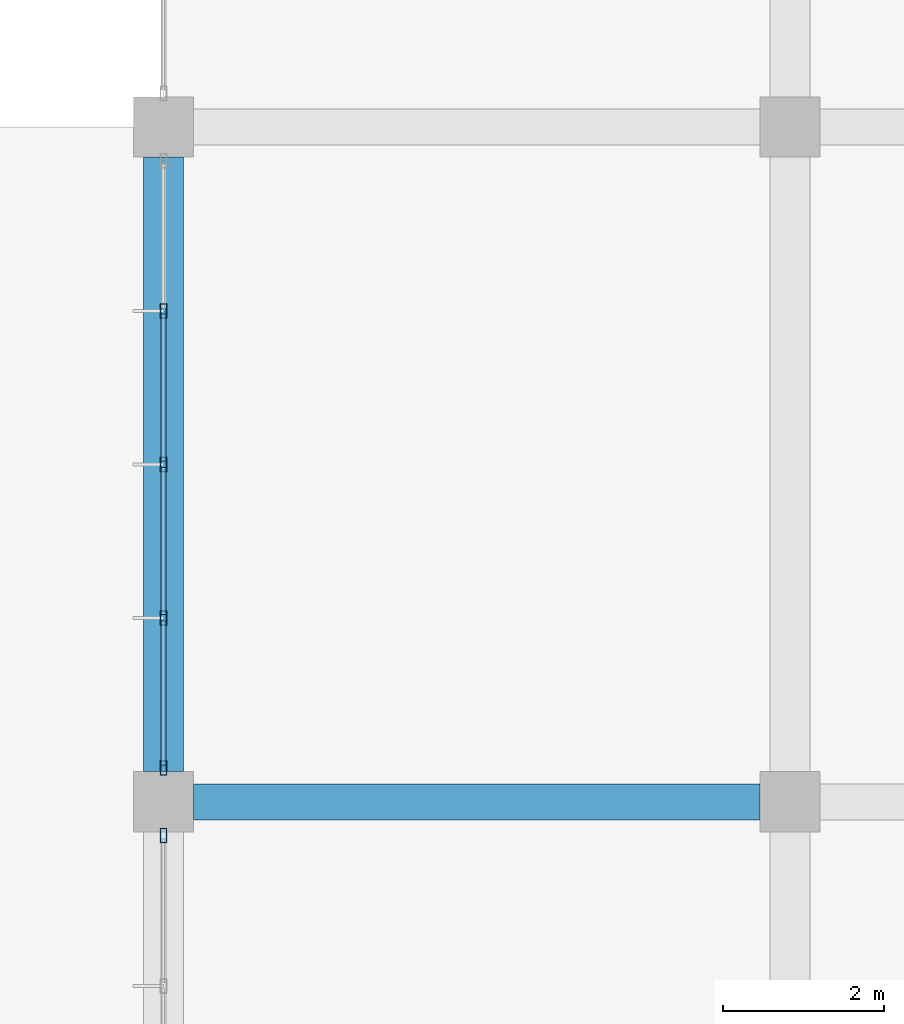
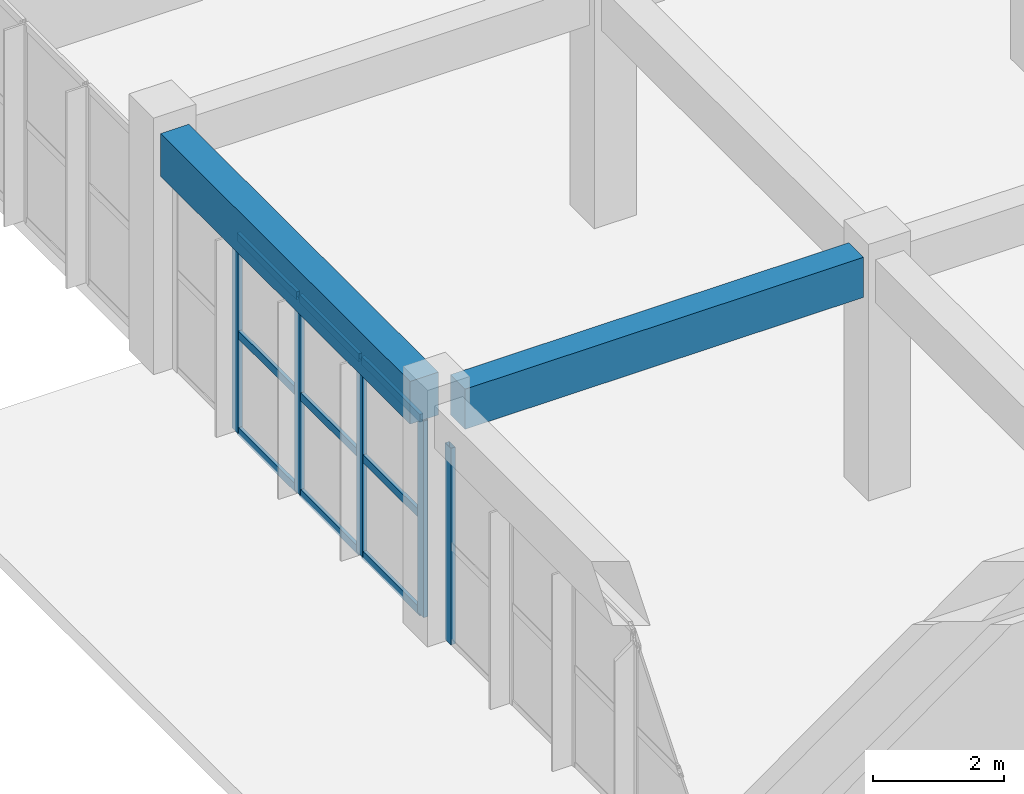
# One storey, part 20 of 175: 14 members, 2 beams, 2 elements without a shape of their own.
"""IFC4 building model written with IfcOpenShell, lengths in metres."""

from ifc_helpers import new_model, si_unit, direction, frame, origin, origin_2d, place, context, subcontext, project, spatial, rectangle, hollow_rectangle, extrude, material, layer, layer_set, material_profile, profile_set, type_object, element, aggregate, save


model = new_model("IFC4")

# Units and contexts
model_context = context("Model", 3, precision=1e-05, world=origin(), true_north=direction((0.0, 1.0)))
body_context = subcontext(model_context, "Body", "Model", "MODEL_VIEW")
ifc_project = project(units=[si_unit("LENGTHUNIT", "METRE"), si_unit("AREAUNIT", "SQUARE_METRE"), si_unit("VOLUMEUNIT", "CUBIC_METRE"), si_unit("PLANEANGLEUNIT", "RADIAN"), si_unit("MASSUNIT", "GRAM", prefix="KILO")], contexts=[model_context])

# Site, building, storey
site_placement = place(None, origin())
site = spatial("IfcSite", under=ifc_project, at=site_placement, CompositionType="ELEMENT")
building_placement = place(site_placement, origin())
building = spatial("IfcBuilding", under=site, at=building_placement, Name="Zizhar Promenade General Hospital", CompositionType="ELEMENT")
storey_placement = place(building_placement, frame((0.0, 0.0, 4.800048828125)))
storey = spatial("IfcBuildingStorey", under=building, at=storey_placement, Name="L01", CompositionType="ELEMENT", Elevation=4.800048828125)

# Beams
ifc_material_1 = material(Name="Concrete C35/45", Category="concrete")
ifc_material_profile_1 = material_profile(ifc_material_1, rectangle(XDim=0.449951171875, YDim=0.75, at=origin_2d()))
ifc_profile_set_1 = profile_set([ifc_material_profile_1], Name="Concrete C35/45")
beam_type_1 = type_object("IfcBeamType", Name="BM-RC-450x750", PredefinedType="BEAM", material=ifc_profile_set_1)
beam_1_placement = place(storey_placement, frame((0.375, 33.60009765625, 4.094970703125), z_axis=(1.0, 0.0, 0.0), x_axis=(0.0, 1.0, 0.0)))
element("IfcBeam", 1, at=beam_1_placement, inside=storey, type_object=beam_type_1, Name="Grid Beam X L01 (0-4)", PredefinedType="BEAM", context=body_context, shape_type="SweptSolid", body=[
    extrude(rectangle(XDim=0.449951171875, YDim=0.75, at=origin_2d()), origin(), (0.0, 0.0, 1.0), 7.050048828125),
])
ifc_material_2 = material(Name="Concrete C35/45", Category="concrete")
ifc_material_profile_2 = material_profile(ifc_material_2, rectangle(XDim=0.5, YDim=0.800048828125, at=origin_2d()))
ifc_profile_set_2 = profile_set([ifc_material_profile_2], Name="Concrete C35/45")
beam_type_2 = type_object("IfcBeamType", Name="BM-RC-500x800", PredefinedType="BEAM", material=ifc_profile_set_2)
beam_2_placement = place(storey_placement, frame((0.0, 33.97509765625, 4.070068359375), z_axis=(0.0, 1.0, 0.0), x_axis=(-1.0, 0.0, 0.0)))
element("IfcBeam", 2, at=beam_2_placement, inside=storey, type_object=beam_type_2, Name="Grid Beam Y L01 (0-4)", PredefinedType="BEAM", context=body_context, shape_type="SweptSolid", body=[
    extrude(rectangle(XDim=0.5, YDim=0.800048828125, at=origin_2d()), origin(), (0.0, 0.0, 1.0), 7.64990234375),
])

# Curtain wall, member
ifc_material_3 = material(Name="Anodised aluminium 6063-T6 and low-E glass", Category="aluminium")
ifc_layer = layer(ifc_material_3, 0.159912109375)
ifc_layer_set = layer_set([ifc_layer], Name="Anodised aluminium 6063-T6 and low-E glass")
curtain_wall_type = type_object("IfcCurtainWallType", Name="CW-ED-FRONT", PredefinedType="NOTDEFINED", material=ifc_layer_set)
curtain_wall_1_placement = place(storey_placement, origin())
curtain_wall_1 = element("IfcCurtainWall", 3, at=curtain_wall_1_placement, inside=storey, type_object=curtain_wall_type, Name="West Diagnostic Arm Glazed Curtain Wall L01-W3", PredefinedType="NOTDEFINED")
ifc_material_4 = material(Name="Anodised aluminium 6063-T6", Category="aluminium")
ifc_material_profile_3 = material_profile(ifc_material_4, hollow_rectangle(XDim=0.080078125, YDim=0.179931640625, WallThickness=0.0048828125, at=origin_2d()))
ifc_profile_set_3 = profile_set([ifc_material_profile_3], Name="Anodised aluminium 6063-T6")
member_type_1 = type_object("IfcMemberType", Name="CWM-ALU-180x80", PredefinedType="MULLION", material=ifc_profile_set_3)
member_1_placement = place(storey_placement, frame((0.0, 33.179931640625, 0.0), z_axis=(0.0, 0.0, 1.0), x_axis=(-1.0, 0.0, 0.0)))
member_1 = element("IfcMember", 4, at=member_1_placement, type_object=member_type_1, Name="CW-06 mullion 5", PredefinedType="MULLION", context=body_context, shape_type="SweptSolid", body=[
    extrude(hollow_rectangle(XDim=0.080078125, YDim=0.179931640625, WallThickness=0.0048828125, at=origin_2d()), origin(), (0.0, 0.0, 1.0), 3.679931640625),
])
aggregate(curtain_wall_1, [member_1])

# Curtain wall, members
curtain_wall_2_placement = place(storey_placement, origin())
curtain_wall_2 = element("IfcCurtainWall", 5, at=curtain_wall_2_placement, inside=storey, type_object=curtain_wall_type, Name="West Diagnostic Arm Glazed Curtain Wall L01-W4", PredefinedType="NOTDEFINED")
member_2_placement = place(storey_placement, frame((0.0, 34.02001953125, 0.0), z_axis=(0.0, 0.0, 1.0), x_axis=(-1.0, 0.0, 0.0)))
member_2 = element("IfcMember", 6, at=member_2_placement, type_object=member_type_1, Name="CW-06 mullion 1", PredefinedType="MULLION", context=body_context, shape_type="SweptSolid", body=[
    extrude(hollow_rectangle(XDim=0.080078125, YDim=0.179931640625, WallThickness=0.0048828125, at=origin_2d()), origin(), (0.0, 0.0, 1.0), 3.679931640625),
])
member_3_placement = place(storey_placement, frame((0.0, 35.889892578125, 0.0), z_axis=(0.0, 0.0, 1.0), x_axis=(-1.0, 0.0, 0.0)))
member_3 = element("IfcMember", 7, at=member_3_placement, type_object=member_type_1, Name="CW-06 mullion 2", PredefinedType="MULLION", context=body_context, shape_type="SweptSolid", body=[
    extrude(hollow_rectangle(XDim=0.080078125, YDim=0.179931640625, WallThickness=0.0048828125, at=origin_2d()), origin(), (0.0, 0.0, 1.0), 3.679931640625),
])
member_4_placement = place(storey_placement, frame((0.0, 37.800048828125, 0.0), z_axis=(0.0, 0.0, 1.0), x_axis=(-1.0, 0.0, 0.0)))
member_4 = element("IfcMember", 8, at=member_4_placement, type_object=member_type_1, Name="CW-06 mullion 3", PredefinedType="MULLION", context=body_context, shape_type="SweptSolid", body=[
    extrude(hollow_rectangle(XDim=0.080078125, YDim=0.179931640625, WallThickness=0.0048828125, at=origin_2d()), origin(), (0.0, 0.0, 1.0), 3.679931640625),
])
member_5_placement = place(storey_placement, frame((0.0, 39.7099609375, 0.0), z_axis=(0.0, 0.0, 1.0), x_axis=(-1.0, 0.0, 0.0)))
member_5 = element("IfcMember", 9, at=member_5_placement, type_object=member_type_1, Name="CW-06 mullion 4", PredefinedType="MULLION", context=body_context, shape_type="SweptSolid", body=[
    extrude(hollow_rectangle(XDim=0.080078125, YDim=0.179931640625, WallThickness=0.0048828125, at=origin_2d()), origin(), (0.0, 0.0, 1.0), 3.679931640625),
])
ifc_material_5 = material(Name="Anodised aluminium 6063-T6", Category="aluminium")
ifc_material_profile_4 = material_profile(ifc_material_5, hollow_rectangle(XDim=0.06005859375, YDim=0.14990234375, WallThickness=0.00390625, at=origin_2d()))
ifc_profile_set_4 = profile_set([ifc_material_profile_4], Name="Anodised aluminium 6063-T6")
member_type_2 = type_object("IfcMemberType", Name="CWT-ALU-150x60", PredefinedType="USERDEFINED", material=ifc_profile_set_4)
member_6_placement = place(storey_placement, frame((0.0, 34.06005859375, 0.030029296875), z_axis=(0.0, 1.0, 0.0), x_axis=(-1.0, 0.0, 0.0)))
member_6 = element("IfcMember", 10, at=member_6_placement, type_object=member_type_2, Name="CW-06 transom 1.1", ObjectType="TRANSOM", PredefinedType="USERDEFINED", context=body_context, shape_type="SweptSolid", body=[
    extrude(hollow_rectangle(XDim=0.06005859375, YDim=0.14990234375, WallThickness=0.00390625, at=origin_2d()), origin(), (0.0, 0.0, 1.0), 1.7900390625),
])
member_7_placement = place(storey_placement, frame((0.0, 34.06005859375, 1.83984375), z_axis=(0.0, 1.0, 0.0), x_axis=(-1.0, 0.0, 0.0)))
member_7 = element("IfcMember", 11, at=member_7_placement, type_object=member_type_2, Name="CW-06 transom 1.2", ObjectType="TRANSOM", PredefinedType="USERDEFINED", context=body_context, shape_type="SweptSolid", body=[
    extrude(hollow_rectangle(XDim=0.06005859375, YDim=0.14990234375, WallThickness=0.00390625, at=origin_2d()), origin(), (0.0, 0.0, 1.0), 1.7900390625),
])
member_8_placement = place(storey_placement, frame((0.0, 34.06005859375, 3.64990234375), z_axis=(0.0, 1.0, 0.0), x_axis=(-1.0, 0.0, 0.0)))
member_8 = element("IfcMember", 12, at=member_8_placement, type_object=member_type_2, Name="CW-06 transom 1.3", ObjectType="TRANSOM", PredefinedType="USERDEFINED", context=body_context, shape_type="SweptSolid", body=[
    extrude(hollow_rectangle(XDim=0.06005859375, YDim=0.14990234375, WallThickness=0.00390625, at=origin_2d()), origin(), (0.0, 0.0, 1.0), 1.7900390625),
])
member_9_placement = place(storey_placement, frame((0.0, 35.929931640625, 0.030029296875), z_axis=(0.0, 1.0, 0.0), x_axis=(-1.0, 0.0, 0.0)))
member_9 = element("IfcMember", 13, at=member_9_placement, type_object=member_type_2, Name="CW-06 transom 2.1", ObjectType="TRANSOM", PredefinedType="USERDEFINED", context=body_context, shape_type="SweptSolid", body=[
    extrude(hollow_rectangle(XDim=0.06005859375, YDim=0.14990234375, WallThickness=0.00390625, at=origin_2d()), origin(), (0.0, 0.0, 1.0), 1.830078125),
])
member_10_placement = place(storey_placement, frame((0.0, 35.929931640625, 1.83984375), z_axis=(0.0, 1.0, 0.0), x_axis=(-1.0, 0.0, 0.0)))
member_10 = element("IfcMember", 14, at=member_10_placement, type_object=member_type_2, Name="CW-06 transom 2.2", ObjectType="TRANSOM", PredefinedType="USERDEFINED", context=body_context, shape_type="SweptSolid", body=[
    extrude(hollow_rectangle(XDim=0.06005859375, YDim=0.14990234375, WallThickness=0.00390625, at=origin_2d()), origin(), (0.0, 0.0, 1.0), 1.830078125),
])
member_11_placement = place(storey_placement, frame((0.0, 35.929931640625, 3.64990234375), z_axis=(0.0, 1.0, 0.0), x_axis=(-1.0, 0.0, 0.0)))
member_11 = element("IfcMember", 15, at=member_11_placement, type_object=member_type_2, Name="CW-06 transom 2.3", ObjectType="TRANSOM", PredefinedType="USERDEFINED", context=body_context, shape_type="SweptSolid", body=[
    extrude(hollow_rectangle(XDim=0.06005859375, YDim=0.14990234375, WallThickness=0.00390625, at=origin_2d()), origin(), (0.0, 0.0, 1.0), 1.830078125),
])
member_12_placement = place(storey_placement, frame((0.0, 37.840087890625, 0.030029296875), z_axis=(0.0, 1.0, 0.0), x_axis=(-1.0, 0.0, 0.0)))
member_12 = element("IfcMember", 16, at=member_12_placement, type_object=member_type_2, Name="CW-06 transom 3.1", ObjectType="TRANSOM", PredefinedType="USERDEFINED", context=body_context, shape_type="SweptSolid", body=[
    extrude(hollow_rectangle(XDim=0.06005859375, YDim=0.14990234375, WallThickness=0.00390625, at=origin_2d()), origin(), (0.0, 0.0, 1.0), 1.829833984375),
])
member_13_placement = place(storey_placement, frame((0.0, 37.840087890625, 1.83984375), z_axis=(0.0, 1.0, 0.0), x_axis=(-1.0, 0.0, 0.0)))
member_13 = element("IfcMember", 17, at=member_13_placement, type_object=member_type_2, Name="CW-06 transom 3.2", ObjectType="TRANSOM", PredefinedType="USERDEFINED", context=body_context, shape_type="SweptSolid", body=[
    extrude(hollow_rectangle(XDim=0.06005859375, YDim=0.14990234375, WallThickness=0.00390625, at=origin_2d()), origin(), (0.0, 0.0, 1.0), 1.829833984375),
])
member_14_placement = place(storey_placement, frame((0.0, 37.840087890625, 3.64990234375), z_axis=(0.0, 1.0, 0.0), x_axis=(-1.0, 0.0, 0.0)))
member_14 = element("IfcMember", 18, at=member_14_placement, type_object=member_type_2, Name="CW-06 transom 3.3", ObjectType="TRANSOM", PredefinedType="USERDEFINED", context=body_context, shape_type="SweptSolid", body=[
    extrude(hollow_rectangle(XDim=0.06005859375, YDim=0.14990234375, WallThickness=0.00390625, at=origin_2d()), origin(), (0.0, 0.0, 1.0), 1.829833984375),
])
aggregate(curtain_wall_2, [member_2, member_3, member_4, member_5, member_6, member_7, member_8, member_9, member_10, member_11, member_12, member_13, member_14])

save(model, "model.ifc")
